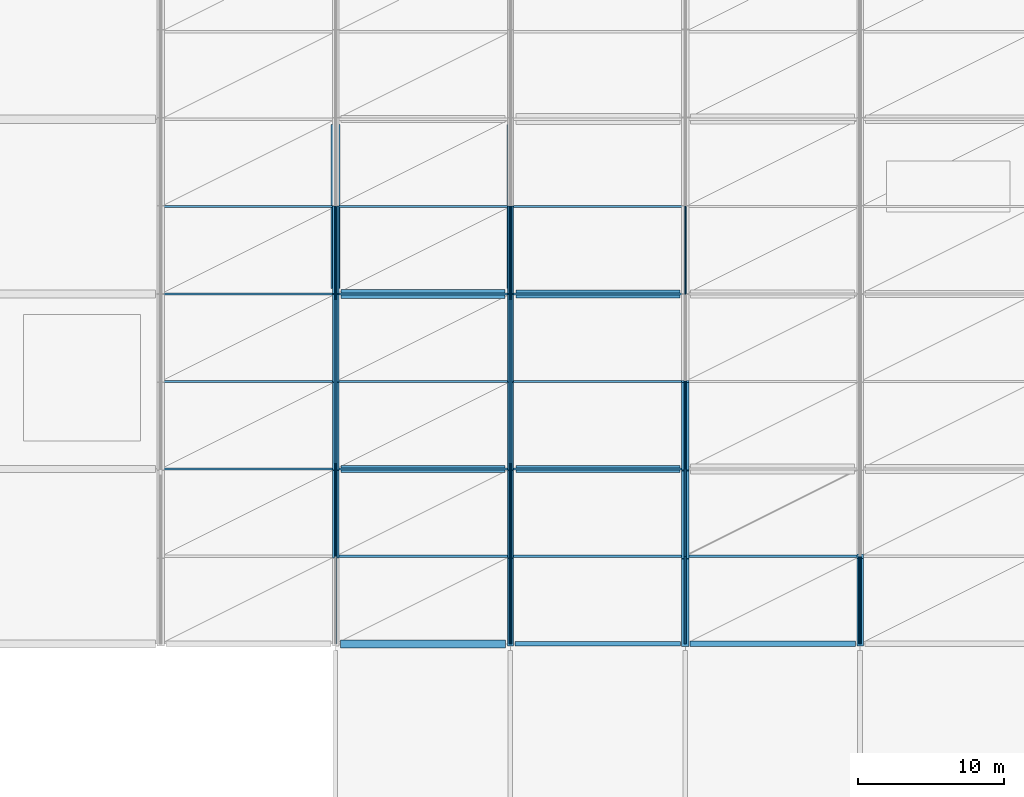
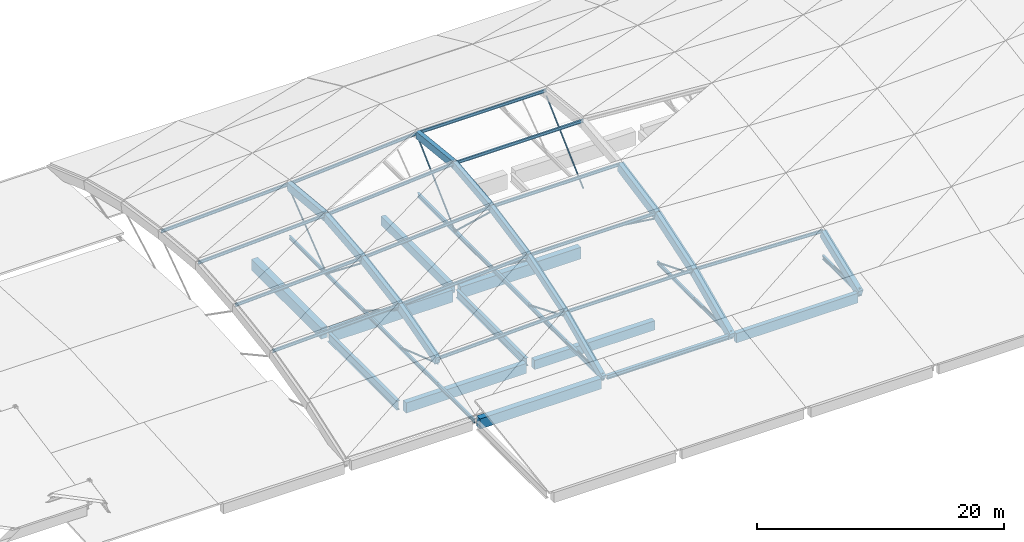
# One storey, part 10 of 23: 39 beams, 27 members.
"""IFC4 building model written with IfcOpenShell, lengths in metres."""

import ifcopenshell
import ifcopenshell.guid

model = None  # the IFC model being written
_history = None  # IfcOwnerHistory: only IFC2X3 demands one
_inside = {}  # id of a spatial element -> (the spatial element, [elements in it])
_under = {}  # id of a project, library or spatial element -> (it, [spatial elements below it])
_declared = {}  # id of a project -> (the project, [libraries it declares])
_typed = {}  # id of a type object -> (the type object, [elements of that type])
_made_of = {}  # id of a material, layer set ... -> (it, [elements and type objects made of it])


def new_model(schema):
    """Start an empty IFC model of exactly this schema.

    Asked for "IFC4X3", IfcOpenShell would pick the latest addendum, in which some entities
    have other attributes; the version numbers below select the first issue.
    IFC2X3 requires an IfcOwnerHistory on every rooted entity: one is made here for all.
    """
    global model, _history
    if schema == "IFC4X3":
        model = ifcopenshell.file(schema_version=(4, 3, 0, 0))
    else:
        model = ifcopenshell.file(schema=schema)
    _inside.clear()
    _under.clear()
    _declared.clear()
    _typed.clear()
    _made_of.clear()
    _history = None
    if model.schema == "IFC2X3":
        org = make("IfcOrganization", Name="unknown")
        user = make(
            "IfcPersonAndOrganization",
            ThePerson=make("IfcPerson", FamilyName="unknown"),
            TheOrganization=org,
        )
        app = make(
            "IfcApplication",
            ApplicationDeveloper=org,
            Version="unknown",
            ApplicationFullName="unknown",
            ApplicationIdentifier="unknown",
        )
        _history = make(
            "IfcOwnerHistory",
            OwningUser=user,
            OwningApplication=app,
            ChangeAction="ADDED",
            CreationDate=0,
        )
    return model


def make(cls, **values):
    """One entity of the class cls with the attributes given. An attribute that is None is left unset."""
    return model.create_entity(
        cls, **{name: value for name, value in values.items() if value is not None}
    )


def rooted(cls, **values):
    """An entity with a GlobalId (a new one), such as an element, a storey or a relation."""
    return make(cls, GlobalId=ifcopenshell.guid.new(), OwnerHistory=_history, **values)


def si_unit(unit_type, name, prefix=None):
    """IfcSIUnit, for example si_unit("LENGTHUNIT", "METRE", prefix="MILLI")."""
    return make("IfcSIUnit", UnitType=unit_type, Prefix=prefix, Name=name)


def assignment(units):
    """IfcUnitAssignment: the units of a project."""
    return None if units is None else make("IfcUnitAssignment", Units=units)


def point(xyz):
    """IfcCartesianPoint."""
    return None if xyz is None else make("IfcCartesianPoint", Coordinates=xyz)


def direction(xyz):
    """IfcDirection."""
    return None if xyz is None else make("IfcDirection", DirectionRatios=xyz)


def frame(location, z_axis=None, x_axis=None):
    """IfcAxis2Placement3D, a coordinate frame: its origin and axes. An axis left out is left unset."""
    return make(
        "IfcAxis2Placement3D",
        Location=point(location),
        Axis=direction(z_axis),
        RefDirection=direction(x_axis),
    )


def frame_2d(location, x_axis=None):
    """IfcAxis2Placement2D, a coordinate frame in the plane: its origin and x axis."""
    return make(
        "IfcAxis2Placement2D", Location=point(location), RefDirection=direction(x_axis)
    )


def origin():
    """The frame at (0, 0, 0) with its axes left unset."""
    return frame((0.0, 0.0, 0.0))


def origin_2d():
    """The frame at (0, 0) in the plane with its x axis left unset."""
    return frame_2d((0.0, 0.0))


def place(relative_to, where):
    """IfcLocalPlacement: puts the frame where relative to a parent placement (None: the world)."""
    return make(
        "IfcLocalPlacement", PlacementRelTo=relative_to, RelativePlacement=where
    )


def context(
    kind, dimensions, precision=None, world=None, true_north=None, identifier=None
):
    """IfcGeometricRepresentationContext, for example the 3D "Model" context."""
    return make(
        "IfcGeometricRepresentationContext",
        ContextIdentifier=identifier,
        ContextType=kind,
        CoordinateSpaceDimension=dimensions,
        Precision=precision,
        WorldCoordinateSystem=world,
        TrueNorth=true_north,
    )


def subcontext(parent, identifier, kind, view, scale=None):
    """IfcGeometricRepresentationSubContext, for example "Body" below "Model"."""
    return make(
        "IfcGeometricRepresentationSubContext",
        ContextIdentifier=identifier,
        ContextType=kind,
        ParentContext=parent,
        TargetScale=scale,
        TargetView=view,
    )


def project(units=None, contexts=None):
    """IfcProject with its units and contexts."""
    return rooted(
        "IfcProject",
        Name="project",
        RepresentationContexts=contexts,
        UnitsInContext=assignment(units),
    )


def spatial(cls, under=None, at=None, **own):
    """A site, building, storey or space (cls), placed at a placement, below another one or the project."""
    s = rooted(cls, ObjectPlacement=at, **own)
    if under is not None:
        _under.setdefault(under.id(), (under, []))[1].append(s)
    return s


def profile(cls, at=None, kind="AREA", **sizes):
    """A parametric profile (cls). Its sizes go by their IFC names, for example OverallWidth=200.0."""
    return make(cls, ProfileType=kind, Position=at, **sizes)


def rectangle(**sizes):
    """IfcRectangleProfileDef."""
    return profile("IfcRectangleProfileDef", **sizes)


def hollow_circle(**sizes):
    """IfcCircleHollowProfileDef."""
    return profile("IfcCircleHollowProfileDef", **sizes)


def i_section(**sizes):
    """IfcIShapeProfileDef."""
    return profile("IfcIShapeProfileDef", **sizes)


def extrude(swept, where, along, depth):
    """IfcExtrudedAreaSolid: the profile swept, set in the frame where, extruded along a direction by depth."""
    return make(
        "IfcExtrudedAreaSolid",
        SweptArea=swept,
        Position=where,
        ExtrudedDirection=direction(along),
        Depth=depth,
    )


def shape(context_of_items, identifier, shape_type, items):
    """IfcShapeRepresentation: the items that make up one representation, for example the "Body"."""
    return make(
        "IfcShapeRepresentation",
        ContextOfItems=context_of_items,
        RepresentationIdentifier=identifier,
        RepresentationType=shape_type,
        Items=items,
    )


def material(Name=None, Category=None):
    """IfcMaterial."""
    return make("IfcMaterial", Name=Name, Category=Category)


def material_profile(
    of_material, cross_section, Name=None, Category=None, Priority=None
):
    """IfcMaterialProfile: a cross section and its material."""
    return make(
        "IfcMaterialProfile",
        Name=Name,
        Material=of_material,
        Profile=cross_section,
        Priority=Priority,
        Category=Category,
    )


def profile_set(profiles, Name=None, composite=None):
    """IfcMaterialProfileSet."""
    return make(
        "IfcMaterialProfileSet",
        Name=Name,
        MaterialProfiles=profiles,
        CompositeProfile=composite,
    )


def made_of(thing, what):
    """Note that an element or type object is made of a material, layer set ...; save() writes the relation."""
    if what is not None:
        _made_of.setdefault(what.id(), (what, []))[1].append(thing)
    return thing


def type_object(cls, material=None, **own):
    """A type object (cls), such as IfcWallType, which elements share."""
    return made_of(rooted(cls, **own), material)


def element(
    cls,
    number,
    at=None,
    inside=None,
    cuts=None,
    type_object=None,
    material=None,
    context=None,
    identifier="Body",
    shape_type=None,
    held_by="IfcProductDefinitionShape",
    body=None,
    shapes=None,
    **own,
):
    """One element of the class cls, such as IfcWall. Its Tag is "e" and its number.

    at: its placement. inside: the storey or other place that contains it. cuts: it is an
    opening in that element (IfcRelVoidsElement). A single representation is given by context,
    identifier, shape_type and body (its items); several are given by shapes. held_by: the class
    of the entity that holds the representations. save() writes the other relations.
    """
    e = rooted(cls, Tag="e%d" % number, ObjectPlacement=at, **own)
    if body is not None:
        shapes = [shape(context, identifier, shape_type, body)]
    if shapes is not None:
        e.Representation = make(held_by, Representations=shapes)
    if inside is not None:
        _inside.setdefault(inside.id(), (inside, []))[1].append(e)
    if cuts is not None:
        rooted(
            "IfcRelVoidsElement", RelatingBuildingElement=cuts, RelatedOpeningElement=e
        )
    if type_object is not None:
        _typed.setdefault(type_object.id(), (type_object, []))[1].append(e)
    return made_of(e, material)


def aggregate(whole, parts):
    """IfcRelAggregates: a whole, such as a stair, and the parts it consists of."""
    return rooted("IfcRelAggregates", RelatingObject=whole, RelatedObjects=parts)


def save(model, path):
    """Write the relations noted so far, then the file.

    IfcRelAggregates (storeys below a building ...), IfcRelContainedInSpatialStructure (elements
    in a storey), IfcRelDefinesByType, IfcRelAssociatesMaterial and IfcRelDeclares: one each for
    every whole, place, type object, material and project.
    """
    for whole, parts in _under.values():
        aggregate(whole, parts)
    for where, things in _inside.values():
        rooted(
            "IfcRelContainedInSpatialStructure",
            RelatedElements=things,
            RelatingStructure=where,
        )
    for kind, things in _typed.values():
        rooted("IfcRelDefinesByType", RelatedObjects=things, RelatingType=kind)
    for what, things in _made_of.values():
        rooted("IfcRelAssociatesMaterial", RelatedObjects=things, RelatingMaterial=what)
    for by, libraries in _declared.values():
        rooted("IfcRelDeclares", RelatingContext=by, RelatedDefinitions=libraries)
    model.write(path)


model = new_model("IFC4")

# Units and contexts
model_context = context("Model", 3, precision=1e-05, world=origin(), true_north=direction((0.0, 1.0)))
body_context = subcontext(model_context, "Body", "Model", "MODEL_VIEW")
ifc_project = project(units=[si_unit("LENGTHUNIT", "METRE"), si_unit("AREAUNIT", "SQUARE_METRE"), si_unit("VOLUMEUNIT", "CUBIC_METRE"), si_unit("PLANEANGLEUNIT", "RADIAN"), si_unit("MASSUNIT", "GRAM", prefix="KILO")], contexts=[model_context])

# Site, building, storey
site_placement = place(None, origin())
site = spatial("IfcSite", under=ifc_project, at=site_placement, CompositionType="ELEMENT")
building_placement = place(site_placement, origin())
building = spatial("IfcBuilding", under=site, at=building_placement, Name="Kamomehara Wholesale Market", CompositionType="ELEMENT")
storey_placement = place(building_placement, frame((0.0, 0.0, 21.0)))
storey = spatial("IfcBuildingStorey", under=building, at=storey_placement, Name="RF", CompositionType="ELEMENT", Elevation=21.0)

# Beams
ifc_material_1 = material(Name="Precast concrete Fc45 (C40/50)", Category="concrete")
ifc_material_profile_1 = material_profile(ifc_material_1, rectangle(XDim=0.5, YDim=1.0, at=origin_2d()), Name="PC-GRD-500x1000")
ifc_profile_set_1 = profile_set([ifc_material_profile_1], Name="Precast concrete Fc45 (C40/50)")
beam_type_1 = type_object("IfcBeamType", Name="BM-PG1000", PredefinedType="T_BEAM", material=ifc_profile_set_1)
beam_1_placement = place(storey_placement, frame((72.375, 120.0, -15.241943359375), z_axis=(1.0, 0.0, 0.0), x_axis=(0.0, 1.0, 0.0)))
element("IfcBeam", 1, at=beam_1_placement, inside=storey, type_object=beam_type_1, Name="Beam PG-09 RF", PredefinedType="T_BEAM", context=body_context, shape_type="SweptSolid", body=[
    extrude(rectangle(XDim=0.5, YDim=1.0, at=origin_2d()), origin(), (0.0, 0.0, 1.0), 11.25),
])
ifc_material_2 = material(Name="Precast concrete Fc45 (C40/50)", Category="concrete")
ifc_material_profile_2 = material_profile(ifc_material_2, rectangle(XDim=0.60009765625, YDim=1.10009765625, at=origin_2d()), Name="PC-GRD-600x1100")
ifc_profile_set_2 = profile_set([ifc_material_profile_2], Name="Precast concrete Fc45 (C40/50)")
beam_type_2 = type_object("IfcBeamType", Name="BM-PG1100", PredefinedType="T_BEAM", material=ifc_profile_set_2)
beam_2_placement = place(storey_placement, frame((72.0, 132.375, -15.302001953125), z_axis=(0.0, 1.0, 0.0), x_axis=(-1.0, 0.0, 0.0)))
element("IfcBeam", 2, at=beam_2_placement, inside=storey, type_object=beam_type_2, Name="Beam PG-07 RF", PredefinedType="T_BEAM", context=body_context, shape_type="SweptSolid", body=[
    extrude(rectangle(XDim=0.60009765625, YDim=1.10009765625, at=origin_2d()), origin(), (0.0, 0.0, 1.0), 11.25),
])
ifc_material_3 = material(Name="Precast concrete Fc45 (C40/50)", Category="concrete")
ifc_material_profile_3 = material_profile(ifc_material_3, rectangle(XDim=0.550048828125, YDim=1.14990234375, at=origin_2d()), Name="PC-GRD-550x1150")
ifc_profile_set_3 = profile_set([ifc_material_profile_3], Name="Precast concrete Fc45 (C40/50)")
beam_type_3 = type_object("IfcBeamType", Name="BM-PG1150", PredefinedType="T_BEAM", material=ifc_profile_set_3)
beam_3_placement = place(storey_placement, frame((84.375, 132.0, -15.31689453125), z_axis=(1.0, 0.0, 0.0), x_axis=(0.0, 1.0, 0.0)))
element("IfcBeam", 3, at=beam_3_placement, inside=storey, type_object=beam_type_3, Name="Beam PG-06 RF", PredefinedType="T_BEAM", context=body_context, shape_type="SweptSolid", body=[
    extrude(rectangle(XDim=0.550048828125, YDim=1.14990234375, at=origin_2d()), origin(), (0.0, 0.0, 1.0), 11.25),
])
ifc_material_4 = material(Name="Precast concrete Fc45 (C40/50)", Category="concrete")
ifc_material_profile_4 = material_profile(ifc_material_4, rectangle(XDim=0.60009765625, YDim=1.199951171875, at=origin_2d()), Name="PC-GRD-600x1200")
ifc_profile_set_4 = profile_set([ifc_material_profile_4], Name="Precast concrete Fc45 (C40/50)")
beam_type_4 = type_object("IfcBeamType", Name="BM-PG1200", PredefinedType="T_BEAM", material=ifc_profile_set_4)
beam_4_placement = place(storey_placement, frame((72.375, 132.0, -15.342041015625), z_axis=(1.0, 0.0, 0.0), x_axis=(0.0, 1.0, 0.0)))
element("IfcBeam", 4, at=beam_4_placement, inside=storey, type_object=beam_type_4, Name="Beam PG-05 RF", PredefinedType="T_BEAM", context=body_context, shape_type="SweptSolid", body=[
    extrude(rectangle(XDim=0.60009765625, YDim=1.199951171875, at=origin_2d()), origin(), (0.0, 0.0, 1.0), 11.25),
])
ifc_material_5 = material(Name="Precast concrete Fc45 (C40/50)", Category="concrete")
ifc_material_profile_5 = material_profile(ifc_material_5, rectangle(XDim=0.449951171875, YDim=0.85009765625, at=origin_2d()), Name="PC-GRD-450x850")
ifc_profile_set_5 = profile_set([ifc_material_profile_5], Name="Precast concrete Fc45 (C40/50)")
beam_type_5 = type_object("IfcBeamType", Name="BM-PG850", PredefinedType="T_BEAM", material=ifc_profile_set_5)
beam_5_placement = place(storey_placement, frame((84.0, 132.375, -15.1669921875), z_axis=(0.0, 1.0, 0.0), x_axis=(-1.0, 0.0, 0.0)))
element("IfcBeam", 5, at=beam_5_placement, inside=storey, type_object=beam_type_5, Name="Beam PG-11 RF", PredefinedType="T_BEAM", context=body_context, shape_type="SweptSolid", body=[
    extrude(rectangle(XDim=0.449951171875, YDim=0.85009765625, at=origin_2d()), origin(), (0.0, 0.0, 1.0), 11.25),
])
ifc_material_6 = material(Name="Precast concrete Fc45 (C40/50)", Category="concrete")
ifc_material_profile_6 = material_profile(ifc_material_6, rectangle(XDim=0.5, YDim=0.89990234375, at=origin_2d()), Name="PC-GRD-500x900")
ifc_profile_set_6 = profile_set([ifc_material_profile_6], Name="Precast concrete Fc45 (C40/50)")
beam_type_6 = type_object("IfcBeamType", Name="BM-PG900", PredefinedType="T_BEAM", material=ifc_profile_set_6)
beam_6_placement = place(storey_placement, frame((84.375, 120.0, -15.19189453125), z_axis=(1.0, 0.0, 0.0), x_axis=(0.0, 1.0, 0.0)))
element("IfcBeam", 6, at=beam_6_placement, inside=storey, type_object=beam_type_6, Name="Beam PG-10 RF", PredefinedType="T_BEAM", context=body_context, shape_type="SweptSolid", body=[
    extrude(rectangle(XDim=0.5, YDim=0.89990234375, at=origin_2d()), origin(), (0.0, 0.0, 1.0), 11.25),
])
ifc_material_7 = material(Name="Concrete Fc36 (C35/45)", Category="concrete")
ifc_material_profile_7 = material_profile(ifc_material_7, rectangle(XDim=0.39990234375, YDim=0.699951171875, at=origin_2d()), Name="RC-RIB-400x700")
ifc_profile_set_7 = profile_set([ifc_material_profile_7], Name="Concrete Fc36 (C35/45)")
beam_type_7 = type_object("IfcBeamType", Name="BM-RIB700", PredefinedType="BEAM", material=ifc_profile_set_7)
beam_7_placement = place(storey_placement, frame((84.0, 108.0, -9.219970703125), z_axis=(0.0, 0.908784493096, 0.417265796716), x_axis=(-1.0, 0.0, 0.0)))
element("IfcBeam", 7, at=beam_7_placement, inside=storey, type_object=beam_type_7, Name="Shell arch rib V1 17", PredefinedType="BEAM", context=body_context, shape_type="SweptSolid", body=[
    extrude(rectangle(XDim=0.39990234375, YDim=0.699951171875, at=origin_2d()), origin(), (0.0, 0.0, 1.0), 6.602294921875),
])
beam_8_placement = place(storey_placement, frame((84.0, 114.0, -6.465087890625), z_axis=(0.0, 0.950191818193, 0.311665700132), x_axis=(-1.0, 0.0, 0.0)))
element("IfcBeam", 8, at=beam_8_placement, inside=storey, type_object=beam_type_7, Name="Shell arch rib V1 18", PredefinedType="BEAM", context=body_context, shape_type="SweptSolid", body=[
    extrude(rectangle(XDim=0.39990234375, YDim=0.699951171875, at=origin_2d()), origin(), (0.0, 0.0, 1.0), 6.314453125),
])
beam_9_placement = place(storey_placement, frame((84.0, 120.0, -4.4970703125), z_axis=(0.0, 0.981199166637, 0.192997915508), x_axis=(-1.0, 0.0, 0.0)))
element("IfcBeam", 9, at=beam_9_placement, inside=storey, type_object=beam_type_7, Name="Shell arch rib V1 19", PredefinedType="BEAM", context=body_context, shape_type="SweptSolid", body=[
    extrude(rectangle(XDim=0.39990234375, YDim=0.699951171875, at=origin_2d()), origin(), (0.0, 0.0, 1.0), 6.114990234375),
])
for number, where, z_axis, x_axis, name in (
    (10, (84.0, 126.0, -3.31689453125), (0.0, 0.994292611875, 0.106687403056), (-1.0, 0.0, 0.0), "Shell arch rib V1 20"),
    (11, (84.0, 132.0, -2.673095703125), (0.0, 0.994292611875, -0.106687403056), (-1.0, 0.0, 0.0), "Shell arch rib V1 21"),
):
    element("IfcBeam", number, at=place(storey_placement, frame(where, z_axis=z_axis, x_axis=x_axis)), inside=storey, type_object=beam_type_7, Name=name, PredefinedType="BEAM", context=body_context, shape_type="SweptSolid", body=[
        extrude(rectangle(XDim=0.39990234375, YDim=0.699951171875, at=origin_2d()), origin(), (0.0, 0.0, 1.0), 6.034423828125),
    ])
ifc_material_8 = material(Name="Concrete Fc36 (C35/45)", Category="concrete")
ifc_material_profile_8 = material_profile(ifc_material_8, rectangle(XDim=0.449951171875, YDim=0.800048828125, at=origin_2d()), Name="RC-RIB-450x800")
ifc_profile_set_8 = profile_set([ifc_material_profile_8], Name="Concrete Fc36 (C35/45)")
beam_type_8 = type_object("IfcBeamType", Name="BM-RIB800", PredefinedType="BEAM", material=ifc_profile_set_8)
beam_10_placement = place(storey_placement, frame((72.0, 114.0, -6.906005859375), z_axis=(0.0, 0.962630519631, 0.270818172719), x_axis=(-1.0, 0.0, 0.0)))
element("IfcBeam", 12, at=beam_10_placement, inside=storey, type_object=beam_type_8, Name="Shell arch rib V1 10", PredefinedType="BEAM", context=body_context, shape_type="SweptSolid", body=[
    extrude(rectangle(XDim=0.449951171875, YDim=0.800048828125, at=origin_2d()), origin(), (0.0, 0.0, 1.0), 6.23291015625),
])
beam_11_placement = place(storey_placement, frame((72.0, 120.0, -5.218017578125), z_axis=(0.0, 0.986046918552, 0.166467637739), x_axis=(-1.0, 0.0, 0.0)))
element("IfcBeam", 13, at=beam_11_placement, inside=storey, type_object=beam_type_8, Name="Shell arch rib V1 11", PredefinedType="BEAM", context=body_context, shape_type="SweptSolid", body=[
    extrude(rectangle(XDim=0.449951171875, YDim=0.800048828125, at=origin_2d()), origin(), (0.0, 0.0, 1.0), 6.0849609375),
])
for number, where, z_axis, x_axis, name in (
    (14, (72.0, 126.0, -4.205078125), (0.0, 0.995230144207, 0.097554907934), (-1.0, 0.0, 0.0), "Shell arch rib V1 12"),
    (15, (72.0, 132.0, -3.616943359375), (0.0, 0.995230144207, -0.097554907934), (-1.0, 0.0, 0.0), "Shell arch rib V1 13"),
):
    element("IfcBeam", number, at=place(storey_placement, frame(where, z_axis=z_axis, x_axis=x_axis)), inside=storey, type_object=beam_type_8, Name=name, PredefinedType="BEAM", context=body_context, shape_type="SweptSolid", body=[
        extrude(rectangle(XDim=0.449951171875, YDim=0.800048828125, at=origin_2d()), origin(), (0.0, 0.0, 1.0), 6.02880859375),
    ])
beam_12_placement = place(storey_placement, frame((108.0, 108.0, -9.27001953125), z_axis=(0.0, 0.930388439459, 0.366575165173), x_axis=(-1.0, 0.0, 0.0)))
element("IfcBeam", 16, at=beam_12_placement, inside=storey, type_object=beam_type_8, Name="Shell arch rib V1 33", PredefinedType="BEAM", context=body_context, shape_type="SweptSolid", body=[
    extrude(rectangle(XDim=0.449951171875, YDim=0.800048828125, at=origin_2d()), origin(), (0.0, 0.0, 1.0), 6.448974609375),
])
ifc_material_9 = material(Name="Concrete Fc36 (C35/45)", Category="concrete")
ifc_material_profile_9 = material_profile(ifc_material_9, rectangle(XDim=0.5, YDim=0.85009765625, at=origin_2d()), Name="RC-RIB-500x850")
ifc_profile_set_9 = profile_set([ifc_material_profile_9], Name="Concrete Fc36 (C35/45)")
beam_type_9 = type_object("IfcBeamType", Name="BM-RIB850", PredefinedType="BEAM", material=ifc_profile_set_9)
beam_13_placement = place(storey_placement, frame((96.0, 108.0, -9.294921875), z_axis=(0.0, 0.908784493096, 0.417265796716), x_axis=(-1.0, 0.0, 0.0)))
element("IfcBeam", 17, at=beam_13_placement, inside=storey, type_object=beam_type_9, Name="Shell arch rib V1 25", PredefinedType="BEAM", context=body_context, shape_type="SweptSolid", body=[
    extrude(rectangle(XDim=0.5, YDim=0.85009765625, at=origin_2d()), origin(), (0.0, 0.0, 1.0), 6.602294921875),
])
beam_14_placement = place(storey_placement, frame((96.0, 114.0, -6.5400390625), z_axis=(0.0, 0.950191818193, 0.311665700132), x_axis=(-1.0, 0.0, 0.0)))
element("IfcBeam", 18, at=beam_14_placement, inside=storey, type_object=beam_type_9, Name="Shell arch rib V1 26", PredefinedType="BEAM", context=body_context, shape_type="SweptSolid", body=[
    extrude(rectangle(XDim=0.5, YDim=0.85009765625, at=origin_2d()), origin(), (0.0, 0.0, 1.0), 6.314453125),
])
beam_15_placement = place(storey_placement, frame((96.0, 120.0, -4.572021484375), z_axis=(0.0, 0.981206726534, 0.192959477105), x_axis=(-1.0, 0.0, 0.0)))
element("IfcBeam", 19, at=beam_15_placement, inside=storey, type_object=beam_type_9, Name="Shell arch rib V1 27", PredefinedType="BEAM", context=body_context, shape_type="SweptSolid", body=[
    extrude(rectangle(XDim=0.5, YDim=0.85009765625, at=origin_2d()), origin(), (0.0, 0.0, 1.0), 6.114990234375),
])
ifc_material_10 = material(Name="Concrete Fc36 (C35/45)", Category="concrete")
ifc_material_profile_10 = material_profile(ifc_material_10, rectangle(XDim=0.550048828125, YDim=1.0, at=origin_2d()), Name="RC-SEB-550x1000")
ifc_profile_set_10 = profile_set([ifc_material_profile_10], Name="Concrete Fc36 (C35/45)")
beam_type_10 = type_object("IfcBeamType", Name="BM-SEB1000-EXT", PredefinedType="SPANDREL", material=ifc_profile_set_10)
beam_16_placement = place(storey_placement, frame((72.324951171875, 108.0, -9.5), z_axis=(1.0, 0.0, 0.0), x_axis=(0.0, 1.0, 0.0)))
element("IfcBeam", 20, at=beam_16_placement, inside=storey, type_object=beam_type_10, Name="Beam SEB-03E RF", PredefinedType="SPANDREL", context=body_context, shape_type="SweptSolid", body=[
    extrude(rectangle(XDim=0.550048828125, YDim=1.0, at=origin_2d()), origin(), (0.0, 0.0, 1.0), 11.35009765625),
])
ifc_material_11 = material(Name="Precast concrete Fc45 (C40/50)", Category="concrete")
ifc_material_profile_11 = material_profile(ifc_material_11, rectangle(XDim=0.39990234375, YDim=0.949951171875, at=origin_2d()), Name="PC-SPN-400x950")
ifc_profile_set_11 = profile_set([ifc_material_profile_11], Name="Precast concrete Fc45 (C40/50)")
beam_type_11 = type_object("IfcBeamType", Name="BM-SPN950-EXT", PredefinedType="SPANDREL", material=ifc_profile_set_11)
beam_17_placement = place(storey_placement, frame((96.324951171875, 108.0, -9.47509765625), z_axis=(1.0, 0.0, 0.0), x_axis=(0.0, 1.0, 0.0)))
element("IfcBeam", 21, at=beam_17_placement, inside=storey, type_object=beam_type_11, Name="Beam SPN-01E RF", PredefinedType="SPANDREL", context=body_context, shape_type="SweptSolid", body=[
    extrude(rectangle(XDim=0.39990234375, YDim=0.949951171875, at=origin_2d()), origin(), (0.0, 0.0, 1.0), 11.35009765625),
])
ifc_material_12 = material(Name="Steel SN400B", Category="steel")
ifc_material_profile_12 = material_profile(ifc_material_12, i_section(OverallWidth=0.14990234375, OverallDepth=0.300048828125, WebThickness=0.006591796875, FlangeThickness=0.009033203125, FilletRadius=0.012939453125, at=origin_2d()), Name="H-300x150x6.5x9")
ifc_profile_set_12 = profile_set([ifc_material_profile_12], Name="Steel SN400B")
beam_type_12 = type_object("IfcBeamType", Name="BM-ST-H300", PredefinedType="JOIST", material=ifc_profile_set_12)
beam_18_placement = place(storey_placement, frame((60.0, 120.0, -5.423095703125), z_axis=(0.999402420026, 0.0, 0.034565920289), x_axis=(0.0, 1.0, 0.0)))
element("IfcBeam", 22, at=beam_18_placement, inside=storey, type_object=beam_type_12, Name="Shell longitudinal purlin V1 2", PredefinedType="JOIST", context=body_context, shape_type="SweptSolid", body=[
    extrude(i_section(OverallWidth=0.14990234375, OverallDepth=0.300048828125, WebThickness=0.006591796875, FlangeThickness=0.009033203125, FilletRadius=0.012939453125, at=origin_2d()), origin(), (0.0, 0.0, 1.0), 12.007080078125),
])
beam_19_placement = place(storey_placement, frame((60.0, 126.0, -4.512939453125), z_axis=(0.999070256927, 0.0, 0.04311173533), x_axis=(0.0, 1.0, 0.0)))
element("IfcBeam", 23, at=beam_19_placement, inside=storey, type_object=beam_type_12, Name="Shell longitudinal purlin V1 3", PredefinedType="JOIST", context=body_context, shape_type="SweptSolid", body=[
    extrude(i_section(OverallWidth=0.14990234375, OverallDepth=0.300048828125, WebThickness=0.006591796875, FlangeThickness=0.009033203125, FilletRadius=0.012939453125, at=origin_2d()), origin(), (0.0, 0.0, 1.0), 12.01123046875),
])
beam_20_placement = place(storey_placement, frame((60.0, 132.0, -3.9599609375), z_axis=(0.998939933695, 0.0, 0.046032693478), x_axis=(0.0, 1.0, 0.0)))
element("IfcBeam", 24, at=beam_20_placement, inside=storey, type_object=beam_type_12, Name="Shell longitudinal purlin V1 4", PredefinedType="JOIST", context=body_context, shape_type="SweptSolid", body=[
    extrude(i_section(OverallWidth=0.14990234375, OverallDepth=0.300048828125, WebThickness=0.006591796875, FlangeThickness=0.009033203125, FilletRadius=0.012939453125, at=origin_2d()), origin(), (0.0, 0.0, 1.0), 12.0126953125),
])
beam_21_placement = place(storey_placement, frame((60.0, 138.0, -4.512939453125), z_axis=(0.999070256927, 0.0, 0.04311173533), x_axis=(0.0, 1.0, 0.0)))
element("IfcBeam", 25, at=beam_21_placement, inside=storey, type_object=beam_type_12, Name="Shell longitudinal purlin V1 5", PredefinedType="JOIST", context=body_context, shape_type="SweptSolid", body=[
    extrude(i_section(OverallWidth=0.14990234375, OverallDepth=0.300048828125, WebThickness=0.006591796875, FlangeThickness=0.009033203125, FilletRadius=0.012939453125, at=origin_2d()), origin(), (0.0, 0.0, 1.0), 12.01123046875),
])
beam_22_placement = place(storey_placement, frame((72.0, 114.0, -6.696044921875), z_axis=(0.999469278357, 0.0, 0.032575475747), x_axis=(0.0, 1.0, 0.0)))
element("IfcBeam", 26, at=beam_22_placement, inside=storey, type_object=beam_type_12, Name="Shell longitudinal purlin V1 8", PredefinedType="JOIST", context=body_context, shape_type="SweptSolid", body=[
    extrude(i_section(OverallWidth=0.14990234375, OverallDepth=0.300048828125, WebThickness=0.006591796875, FlangeThickness=0.009033203125, FilletRadius=0.012939453125, at=origin_2d()), origin(), (0.0, 0.0, 1.0), 12.00634765625),
])
beam_23_placement = place(storey_placement, frame((72.0, 120.0, -5.008056640625), z_axis=(0.998439658361, 0.0, 0.055841280535), x_axis=(0.0, 1.0, 0.0)))
element("IfcBeam", 27, at=beam_23_placement, inside=storey, type_object=beam_type_12, Name="Shell longitudinal purlin V1 9", PredefinedType="JOIST", context=body_context, shape_type="SweptSolid", body=[
    extrude(i_section(OverallWidth=0.14990234375, OverallDepth=0.300048828125, WebThickness=0.006591796875, FlangeThickness=0.009033203125, FilletRadius=0.012939453125, at=origin_2d()), origin(), (0.0, 0.0, 1.0), 12.018798828125),
])
beam_24_placement = place(storey_placement, frame((72.0, 126.0, -3.9951171875), z_axis=(0.997569756374, 0.0, 0.069674824496), x_axis=(0.0, 1.0, 0.0)))
element("IfcBeam", 28, at=beam_24_placement, inside=storey, type_object=beam_type_12, Name="Shell longitudinal purlin V1 10", PredefinedType="JOIST", context=body_context, shape_type="SweptSolid", body=[
    extrude(i_section(OverallWidth=0.14990234375, OverallDepth=0.300048828125, WebThickness=0.006591796875, FlangeThickness=0.009033203125, FilletRadius=0.012939453125, at=origin_2d()), origin(), (0.0, 0.0, 1.0), 12.029296875),
])
beam_25_placement = place(storey_placement, frame((72.0, 132.0, -3.406982421875), z_axis=(0.997236109241, 0.0, 0.074297660971), x_axis=(0.0, 1.0, 0.0)))
element("IfcBeam", 29, at=beam_25_placement, inside=storey, type_object=beam_type_12, Name="Shell longitudinal purlin V1 11", PredefinedType="JOIST", context=body_context, shape_type="SweptSolid", body=[
    extrude(i_section(OverallWidth=0.14990234375, OverallDepth=0.300048828125, WebThickness=0.006591796875, FlangeThickness=0.009033203125, FilletRadius=0.012939453125, at=origin_2d()), origin(), (0.0, 0.0, 1.0), 12.033203125),
])
beam_26_placement = place(storey_placement, frame((72.0, 138.0, -3.9951171875), z_axis=(0.997569756374, 0.0, 0.069674824496), x_axis=(0.0, 1.0, 0.0)))
element("IfcBeam", 30, at=beam_26_placement, inside=storey, type_object=beam_type_12, Name="Shell longitudinal purlin V1 12", PredefinedType="JOIST", context=body_context, shape_type="SweptSolid", body=[
    extrude(i_section(OverallWidth=0.14990234375, OverallDepth=0.300048828125, WebThickness=0.006591796875, FlangeThickness=0.009033203125, FilletRadius=0.012939453125, at=origin_2d()), origin(), (0.0, 0.0, 1.0), 12.029296875),
])
for number, where, z_axis, x_axis, name in (
    (31, (84.0, 114.0, -6.304931640625), (1.0, 0.0, 0.0), (0.0, 1.0, 0.0), "Shell longitudinal purlin V1 15"),
    (32, (84.0, 120.0, -4.3369140625), (1.0, 0.0, 0.0), (0.0, 1.0, 0.0), "Shell longitudinal purlin V1 16"),
    (33, (84.0, 126.0, -3.156982421875), (1.0, 0.0, 0.0), (0.0, 1.0, 0.0), "Shell longitudinal purlin V1 17"),
    (34, (84.0, 132.0, -2.512939453125), (1.0, 0.0, 0.0), (0.0, 1.0, 0.0), "Shell longitudinal purlin V1 18"),
    (35, (84.0, 138.0, -3.156982421875), (1.0, 0.0, 0.0), (0.0, 1.0, 0.0), "Shell longitudinal purlin V1 19"),
):
    element("IfcBeam", number, at=place(storey_placement, frame(where, z_axis=z_axis, x_axis=x_axis)), inside=storey, type_object=beam_type_12, Name=name, PredefinedType="JOIST", context=body_context, shape_type="SweptSolid", body=[
        extrude(i_section(OverallWidth=0.14990234375, OverallDepth=0.300048828125, WebThickness=0.006591796875, FlangeThickness=0.009033203125, FilletRadius=0.012939453125, at=origin_2d()), origin(), (0.0, 0.0, 1.0), 12.0),
    ])
beam_27_placement = place(storey_placement, frame((96.0, 114.0, -6.304931640625), z_axis=(0.999469278357, 0.0, -0.032575475747), x_axis=(0.0, 1.0, 0.0)))
element("IfcBeam", 36, at=beam_27_placement, inside=storey, type_object=beam_type_12, Name="Shell longitudinal purlin V1 22", PredefinedType="JOIST", context=body_context, shape_type="SweptSolid", body=[
    extrude(i_section(OverallWidth=0.14990234375, OverallDepth=0.300048828125, WebThickness=0.006591796875, FlangeThickness=0.009033203125, FilletRadius=0.012939453125, at=origin_2d()), origin(), (0.0, 0.0, 1.0), 12.00634765625),
])
ifc_material_13 = material(Name="Steel SN490B", Category="steel")
ifc_material_profile_13 = material_profile(ifc_material_13, i_section(OverallWidth=0.300048828125, OverallDepth=0.389892578125, WebThickness=0.010009765625, FlangeThickness=0.01611328125, FilletRadius=0.01806640625, at=origin_2d()), Name="H-390x300x10x16")
ifc_profile_set_13 = profile_set([ifc_material_profile_13], Name="Steel SN490B")
beam_type_13 = type_object("IfcBeamType", Name="BM-ST-H390-EXT", PredefinedType="SPANDREL", material=ifc_profile_set_13)
beam_28_placement = place(storey_placement, frame((84.324951171875, 108.0, -9.195068359375), z_axis=(1.0, 0.0, 0.0), x_axis=(0.0, 1.0, 0.0)))
element("IfcBeam", 37, at=beam_28_placement, inside=storey, type_object=beam_type_13, Name="Beam SJ-03E RF", PredefinedType="SPANDREL", context=body_context, shape_type="SweptSolid", body=[
    extrude(i_section(OverallWidth=0.300048828125, OverallDepth=0.389892578125, WebThickness=0.010009765625, FlangeThickness=0.01611328125, FilletRadius=0.01806640625, at=origin_2d()), origin(), (0.0, 0.0, 1.0), 11.35009765625),
])
ifc_material_14 = material(Name="Steel SN490B", Category="steel")
ifc_material_profile_14 = material_profile(ifc_material_14, i_section(OverallWidth=0.300048828125, OverallDepth=0.7919921875, WebThickness=0.013916015625, FlangeThickness=0.02197265625, FilletRadius=0.02392578125, at=origin_2d()), Name="H-792x300x14x22")
ifc_profile_set_14 = profile_set([ifc_material_profile_14], Name="Steel SN490B")
beam_type_14 = type_object("IfcBeamType", Name="BM-ST-H792", PredefinedType="BEAM", material=ifc_profile_set_14)
beam_29_placement = place(storey_placement, frame((84.0, 120.375, -15.137939453125), z_axis=(0.0, 1.0, 0.0), x_axis=(-1.0, 0.0, 0.0)))
element("IfcBeam", 38, at=beam_29_placement, inside=storey, type_object=beam_type_14, Name="Beam SG-09 RF", PredefinedType="BEAM", context=body_context, shape_type="SweptSolid", body=[
    extrude(i_section(OverallWidth=0.300048828125, OverallDepth=0.7919921875, WebThickness=0.013916015625, FlangeThickness=0.02197265625, FilletRadius=0.02392578125, at=origin_2d()), origin(), (0.0, 0.0, 1.0), 11.25),
])
ifc_material_15 = material(Name="Steel SN490B", Category="steel")
ifc_material_profile_15 = material_profile(ifc_material_15, i_section(OverallWidth=0.300048828125, OverallDepth=0.89990234375, WebThickness=0.01611328125, FlangeThickness=0.028076171875, FilletRadius=0.02392578125, at=origin_2d()), Name="H-900x300x16x28")
ifc_profile_set_15 = profile_set([ifc_material_profile_15], Name="Steel SN490B")
beam_type_15 = type_object("IfcBeamType", Name="BM-ST-H900", PredefinedType="BEAM", material=ifc_profile_set_15)
beam_30_placement = place(storey_placement, frame((72.0, 120.375, -15.201904296875), z_axis=(0.0, 1.0, 0.0), x_axis=(-1.0, 0.0, 0.0)))
element("IfcBeam", 39, at=beam_30_placement, inside=storey, type_object=beam_type_15, Name="Beam SG-01 RF", PredefinedType="BEAM", context=body_context, shape_type="SweptSolid", body=[
    extrude(i_section(OverallWidth=0.300048828125, OverallDepth=0.89990234375, WebThickness=0.01611328125, FlangeThickness=0.028076171875, FilletRadius=0.02392578125, at=origin_2d()), origin(), (0.0, 0.0, 1.0), 11.25),
])

# Members
ifc_material_16 = material(Name="Steel SN400B", Category="steel")
ifc_material_profile_16 = material_profile(ifc_material_16, hollow_circle(Radius=0.06982421875, WallThickness=0.006591796875, at=origin_2d()), Name="CHS-139.8x6.6")
ifc_profile_set_16 = profile_set([ifc_material_profile_16], Name="Steel SN400B")
member_type_1 = type_object("IfcMemberType", Name="MEM-BR-CHS139", PredefinedType="BRACE", material=ifc_profile_set_16)
member_1_placement = place(storey_placement, frame((72.0, 132.0, -9.25), z_axis=(0.0, 0.784356366343, 0.620310479177), x_axis=(-1.0, 0.0, 0.0)))
element("IfcMember", 40, at=member_1_placement, inside=storey, type_object=member_type_1, Name="Arch truss diagonal B V1 13", PredefinedType="BRACE", context=body_context, shape_type="SweptSolid", body=[
    extrude(hollow_circle(Radius=0.06982421875, WallThickness=0.006591796875, at=origin_2d()), origin(), (0.0, 0.0, 1.0), 7.649658203125),
])
member_2_placement = place(storey_placement, frame((84.0, 132.0, -9.25), z_axis=(0.0, 0.729048562184, 0.684461974092), x_axis=(-1.0, 0.0, 0.0)))
element("IfcMember", 41, at=member_2_placement, inside=storey, type_object=member_type_1, Name="Arch truss diagonal B V1 21", PredefinedType="BRACE", context=body_context, shape_type="SweptSolid", body=[
    extrude(hollow_circle(Radius=0.06982421875, WallThickness=0.006591796875, at=origin_2d()), origin(), (0.0, 0.0, 1.0), 8.22998046875),
])
member_3_placement = place(storey_placement, frame((96.0, 132.0, -9.25), z_axis=(0.0, 0.733605229533, 0.679575873028), x_axis=(-1.0, 0.0, 0.0)))
element("IfcMember", 42, at=member_3_placement, inside=storey, type_object=member_type_1, Name="Arch truss diagonal B V1 29", PredefinedType="BRACE", context=body_context, shape_type="SweptSolid", body=[
    extrude(hollow_circle(Radius=0.06982421875, WallThickness=0.006591796875, at=origin_2d()), origin(), (0.0, 0.0, 1.0), 8.1787109375),
])
ifc_material_17 = material(Name="Steel SN490B", Category="steel")
ifc_material_profile_17 = material_profile(ifc_material_17, hollow_circle(Radius=0.08251953125, WallThickness=0.007080078125, at=origin_2d()), Name="CHS-165.2x7.1")
ifc_profile_set_17 = profile_set([ifc_material_profile_17], Name="Steel SN490B")
member_type_2 = type_object("IfcMemberType", Name="MEM-BR-CHS165", PredefinedType="BRACE", material=ifc_profile_set_17)
member_4_placement = place(storey_placement, frame((72.0, 120.0, -9.25), z_axis=(0.0, -0.94658288397, 0.322460608097), x_axis=(1.0, 0.0, 0.0)))
element("IfcMember", 43, at=member_4_placement, inside=storey, type_object=member_type_2, Name="Arch truss diagonal A V1 10", PredefinedType="BRACE", context=body_context, shape_type="SweptSolid", body=[
    extrude(hollow_circle(Radius=0.08251953125, WallThickness=0.007080078125, at=origin_2d()), origin(), (0.0, 0.0, 1.0), 6.338623046875),
])
member_5_placement = place(storey_placement, frame((72.0, 126.0, -9.25), z_axis=(0.0, -0.849145449836, 0.528159071704), x_axis=(1.0, 0.0, 0.0)))
element("IfcMember", 44, at=member_5_placement, inside=storey, type_object=member_type_2, Name="Arch truss diagonal A V1 11", PredefinedType="BRACE", context=body_context, shape_type="SweptSolid", body=[
    extrude(hollow_circle(Radius=0.08251953125, WallThickness=0.007080078125, at=origin_2d()), origin(), (0.0, 0.0, 1.0), 7.06591796875),
])
member_6_placement = place(storey_placement, frame((72.0, 132.0, -9.25), z_axis=(0.0, -0.784356366343, 0.620310479177), x_axis=(1.0, 0.0, 0.0)))
element("IfcMember", 45, at=member_6_placement, inside=storey, type_object=member_type_2, Name="Arch truss diagonal A V1 12", PredefinedType="BRACE", context=body_context, shape_type="SweptSolid", body=[
    extrude(hollow_circle(Radius=0.08251953125, WallThickness=0.007080078125, at=origin_2d()), origin(), (0.0, 0.0, 1.0), 7.649658203125),
])
member_7_placement = place(storey_placement, frame((84.0, 114.0, -9.25), z_axis=(0.0, -0.997786235602, 0.066502842363), x_axis=(1.0, 0.0, 0.0)))
element("IfcMember", 46, at=member_7_placement, inside=storey, type_object=member_type_2, Name="Arch truss diagonal A V1 17", PredefinedType="BRACE", context=body_context, shape_type="SweptSolid", body=[
    extrude(hollow_circle(Radius=0.08251953125, WallThickness=0.007080078125, at=origin_2d()), origin(), (0.0, 0.0, 1.0), 6.013427734375),
])
member_8_placement = place(storey_placement, frame((84.0, 120.0, -9.25), z_axis=(0.0, -0.923889002314, 0.38266056944), x_axis=(1.0, 0.0, 0.0)))
element("IfcMember", 47, at=member_8_placement, inside=storey, type_object=member_type_2, Name="Arch truss diagonal A V1 18", PredefinedType="BRACE", context=body_context, shape_type="SweptSolid", body=[
    extrude(hollow_circle(Radius=0.08251953125, WallThickness=0.007080078125, at=origin_2d()), origin(), (0.0, 0.0, 1.0), 6.494384765625),
])
member_9_placement = place(storey_placement, frame((84.0, 126.0, -9.25), z_axis=(0.0, -0.803016816128, 0.595956368382), x_axis=(1.0, 0.0, 0.0)))
element("IfcMember", 48, at=member_9_placement, inside=storey, type_object=member_type_2, Name="Arch truss diagonal A V1 19", PredefinedType="BRACE", context=body_context, shape_type="SweptSolid", body=[
    extrude(hollow_circle(Radius=0.08251953125, WallThickness=0.007080078125, at=origin_2d()), origin(), (0.0, 0.0, 1.0), 7.471923828125),
])
member_10_placement = place(storey_placement, frame((84.0, 132.0, -9.25), z_axis=(0.0, -0.729048562184, 0.684461974092), x_axis=(1.0, 0.0, 0.0)))
element("IfcMember", 49, at=member_10_placement, inside=storey, type_object=member_type_2, Name="Arch truss diagonal A V1 20", PredefinedType="BRACE", context=body_context, shape_type="SweptSolid", body=[
    extrude(hollow_circle(Radius=0.08251953125, WallThickness=0.007080078125, at=origin_2d()), origin(), (0.0, 0.0, 1.0), 8.22998046875),
])
member_11_placement = place(storey_placement, frame((96.0, 114.0, -9.25), z_axis=(0.0, -0.997786235602, 0.066502842363), x_axis=(1.0, 0.0, 0.0)))
element("IfcMember", 50, at=member_11_placement, inside=storey, type_object=member_type_2, Name="Arch truss diagonal A V1 25", PredefinedType="BRACE", context=body_context, shape_type="SweptSolid", body=[
    extrude(hollow_circle(Radius=0.08251953125, WallThickness=0.007080078125, at=origin_2d()), origin(), (0.0, 0.0, 1.0), 6.013427734375),
])
member_12_placement = place(storey_placement, frame((96.0, 120.0, -9.25), z_axis=(0.0, -0.927947134666, 0.372711839449), x_axis=(1.0, 0.0, 0.0)))
element("IfcMember", 51, at=member_12_placement, inside=storey, type_object=member_type_2, Name="Arch truss diagonal A V1 26", PredefinedType="BRACE", context=body_context, shape_type="SweptSolid", body=[
    extrude(hollow_circle(Radius=0.08251953125, WallThickness=0.007080078125, at=origin_2d()), origin(), (0.0, 0.0, 1.0), 6.4658203125),
])
member_13_placement = place(storey_placement, frame((96.0, 126.0, -9.25), z_axis=(0.0, -0.807819712299, 0.589429650104), x_axis=(1.0, 0.0, 0.0)))
element("IfcMember", 52, at=member_13_placement, inside=storey, type_object=member_type_2, Name="Arch truss diagonal A V1 27", PredefinedType="BRACE", context=body_context, shape_type="SweptSolid", body=[
    extrude(hollow_circle(Radius=0.08251953125, WallThickness=0.007080078125, at=origin_2d()), origin(), (0.0, 0.0, 1.0), 7.427490234375),
])
member_14_placement = place(storey_placement, frame((108.0, 114.0, -9.25), z_axis=(0.0, -0.997786235602, 0.066502842363), x_axis=(1.0, 0.0, 0.0)))
element("IfcMember", 53, at=member_14_placement, inside=storey, type_object=member_type_2, Name="Arch truss diagonal A V1 33", PredefinedType="BRACE", context=body_context, shape_type="SweptSolid", body=[
    extrude(hollow_circle(Radius=0.08251953125, WallThickness=0.007080078125, at=origin_2d()), origin(), (0.0, 0.0, 1.0), 6.013427734375),
])
ifc_material_18 = material(Name="Steel SN490B", Category="steel")
ifc_material_profile_18 = material_profile(ifc_material_18, i_section(OverallWidth=0.175048828125, OverallDepth=0.35009765625, WebThickness=0.007080078125, FlangeThickness=0.010986328125, FilletRadius=0.012939453125, at=origin_2d()), Name="H-350x175x7x11")
ifc_profile_set_18 = profile_set([ifc_material_profile_18], Name="Steel SN490B")
member_type_3 = type_object("IfcMemberType", Name="MEM-CH-H350", PredefinedType="CHORD", material=ifc_profile_set_18)
for number, where, z_axis, x_axis, name in (
    (54, (72.0, 108.0, -9.25), (0.0, 1.0, 0.0), (-1.0, 0.0, 0.0), "Arch tie chord V1 9"),
    (55, (72.0, 114.0, -9.25), (0.0, 1.0, 0.0), (-1.0, 0.0, 0.0), "Arch tie chord V1 10"),
    (56, (72.0, 120.0, -9.25), (0.0, 1.0, 0.0), (-1.0, 0.0, 0.0), "Arch tie chord V1 11"),
    (57, (72.0, 126.0, -9.25), (0.0, 1.0, 0.0), (-1.0, 0.0, 0.0), "Arch tie chord V1 12"),
    (58, (72.0, 132.0, -9.25), (0.0, 1.0, 0.0), (-1.0, 0.0, 0.0), "Arch tie chord V1 13"),
    (59, (96.0, 108.0, -9.25), (0.0, 1.0, 0.0), (-1.0, 0.0, 0.0), "Arch tie chord V1 25"),
    (60, (96.0, 114.0, -9.25), (0.0, 1.0, 0.0), (-1.0, 0.0, 0.0), "Arch tie chord V1 26"),
):
    element("IfcMember", number, at=place(storey_placement, frame(where, z_axis=z_axis, x_axis=x_axis)), inside=storey, type_object=member_type_3, Name=name, PredefinedType="CHORD", context=body_context, shape_type="SweptSolid", body=[
        extrude(i_section(OverallWidth=0.175048828125, OverallDepth=0.35009765625, WebThickness=0.007080078125, FlangeThickness=0.010986328125, FilletRadius=0.012939453125, at=origin_2d()), origin(), (0.0, 0.0, 1.0), 6.0),
    ])
ifc_material_19 = material(Name="Steel SN490B", Category="steel")
ifc_material_profile_19 = material_profile(ifc_material_19, i_section(OverallWidth=0.199951171875, OverallDepth=0.39990234375, WebThickness=0.008056640625, FlangeThickness=0.012939453125, FilletRadius=0.012939453125, at=origin_2d()), Name="H-400x200x8x13")
ifc_profile_set_19 = profile_set([ifc_material_profile_19], Name="Steel SN490B")
member_type_4 = type_object("IfcMemberType", Name="MEM-CH-H400", PredefinedType="CHORD", material=ifc_profile_set_19)
for number, where, z_axis, x_axis, name in (
    (61, (84.0, 108.0, -9.25), (0.0, 1.0, 0.0), (-1.0, 0.0, 0.0), "Arch tie chord V1 17"),
    (62, (84.0, 114.0, -9.25), (0.0, 1.0, 0.0), (-1.0, 0.0, 0.0), "Arch tie chord V1 18"),
    (63, (84.0, 120.0, -9.25), (0.0, 1.0, 0.0), (-1.0, 0.0, 0.0), "Arch tie chord V1 19"),
    (64, (84.0, 126.0, -9.25), (0.0, 1.0, 0.0), (-1.0, 0.0, 0.0), "Arch tie chord V1 20"),
    (65, (84.0, 132.0, -9.25), (0.0, 1.0, 0.0), (-1.0, 0.0, 0.0), "Arch tie chord V1 21"),
    (66, (108.0, 108.0, -9.25), (0.0, 1.0, 0.0), (-1.0, 0.0, 0.0), "Arch tie chord V1 33"),
):
    element("IfcMember", number, at=place(storey_placement, frame(where, z_axis=z_axis, x_axis=x_axis)), inside=storey, type_object=member_type_4, Name=name, PredefinedType="CHORD", context=body_context, shape_type="SweptSolid", body=[
        extrude(i_section(OverallWidth=0.199951171875, OverallDepth=0.39990234375, WebThickness=0.008056640625, FlangeThickness=0.012939453125, FilletRadius=0.012939453125, at=origin_2d()), origin(), (0.0, 0.0, 1.0), 6.0),
    ])

save(model, "model.ifc")
